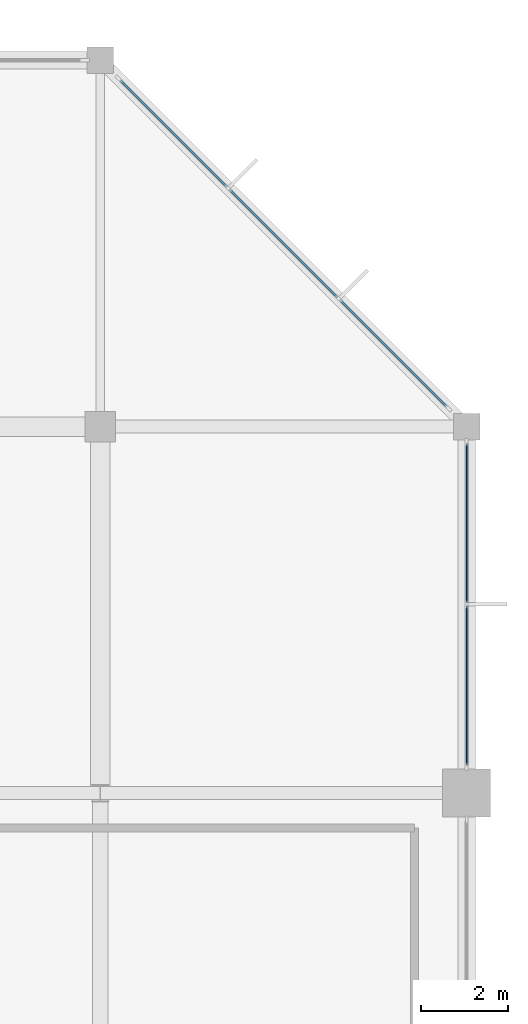
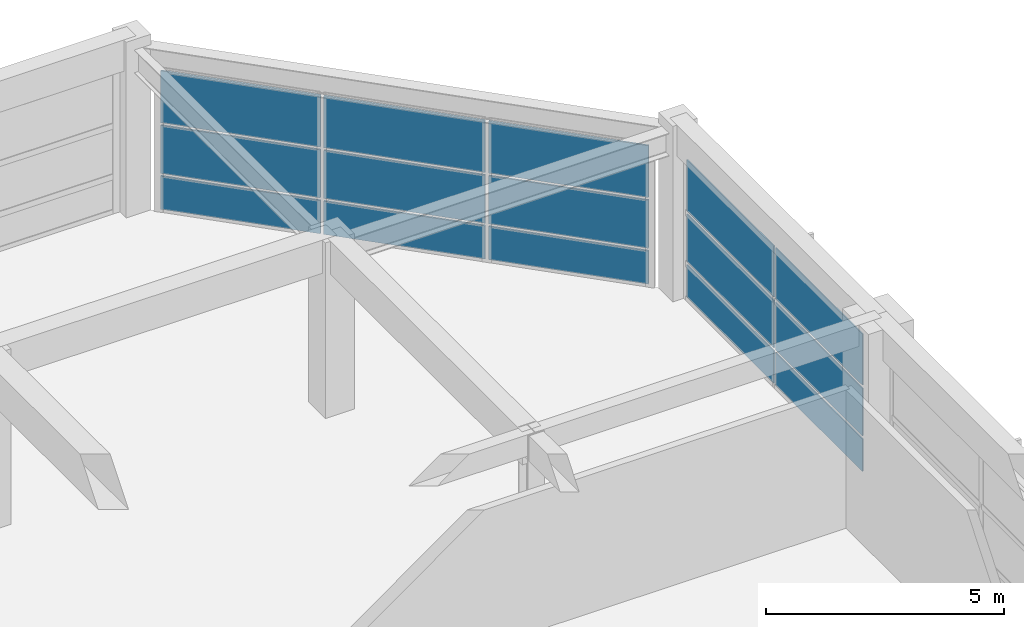
# One storey, part 48 of 62: 15 plates, 2 elements without a shape of their own.
"""IFC4 building model written with IfcOpenShell, lengths in metres."""

from ifc_helpers import new_model, si_unit, direction, frame, origin, origin_2d, place, context, subcontext, project, spatial, rectangle, extrude, material, layer, layer_set, type_object, element, aggregate, save


model = new_model("IFC4")

# Units and contexts
model_context = context("Model", 3, precision=1e-05, world=origin(), true_north=direction((0.0, 1.0)))
body_context = subcontext(model_context, "Body", "Model", "MODEL_VIEW")
ifc_project = project(units=[si_unit("LENGTHUNIT", "METRE"), si_unit("AREAUNIT", "SQUARE_METRE"), si_unit("VOLUMEUNIT", "CUBIC_METRE"), si_unit("PLANEANGLEUNIT", "RADIAN"), si_unit("MASSUNIT", "GRAM", prefix="KILO")], contexts=[model_context])

# Site, building, storey
site_placement = place(None, origin())
site = spatial("IfcSite", under=ifc_project, at=site_placement, CompositionType="ELEMENT")
building_placement = place(site_placement, origin())
building = spatial("IfcBuilding", under=site, at=building_placement, Name="Xuanlan Plaza Opera House", CompositionType="ELEMENT")
storey_placement = place(building_placement, frame((0.0, 0.0, 14.39990234375)))
storey = spatial("IfcBuildingStorey", under=building, at=storey_placement, Name="L03", CompositionType="ELEMENT", Elevation=14.39990234375)

# Curtain wall, plates
ifc_material_1 = material(Name="Anodised Aluminium 6063-T6 and Low-E Glass", Category="aluminium")
curtain_wall_type_1 = type_object("IfcCurtainWallType", Name="ENV-CW-CW-04", PredefinedType="USERDEFINED", material=ifc_material_1)
curtain_wall_1_placement = place(storey_placement, origin())
curtain_wall_1 = element("IfcCurtainWall", 1, at=curtain_wall_1_placement, inside=storey, type_object=curtain_wall_type_1, Name="Unitised Curtain Wall L03-027", ObjectType="UNITISED CURTAIN WALL", PredefinedType="USERDEFINED")
ifc_material_2 = material(Name="Laminated Acoustic Double Glazing", Category="glass")
ifc_layer_1 = layer(ifc_material_2, 0.028076171875)
ifc_layer_set_1 = layer_set([ifc_layer_1], Name="Laminated Acoustic Double Glazing")
plate_type_1 = type_object("IfcPlateType", Name="ENV-CWP-01", PredefinedType="CURTAIN_PANEL", material=ifc_layer_set_1)
plate_1_placement = place(storey_placement, frame((168.0, 86.465087890625, 0.080078125), z_axis=(0.0, 0.0, 1.0), x_axis=(0.0, 1.0, 0.0)))
plate_1 = element("IfcPlate", 2, at=plate_1_placement, type_object=plate_type_1, Name="CW-04 panel 1.1", PredefinedType="CURTAIN_PANEL", context=body_context, shape_type="SweptSolid", body=[
    extrude(rectangle(XDim=3.64990234375, YDim=0.028076171875, at=origin_2d()), origin(), (0.0, 0.0, 1.0), 0.830078125),
])
plate_2_placement = place(storey_placement, frame((168.0, 86.465087890625, 0.990234375), z_axis=(0.0, 0.0, 1.0), x_axis=(0.0, 1.0, 0.0)))
plate_2 = element("IfcPlate", 3, at=plate_2_placement, type_object=plate_type_1, Name="CW-04 panel 1.2", PredefinedType="CURTAIN_PANEL", context=body_context, shape_type="SweptSolid", body=[
    extrude(rectangle(XDim=3.64990234375, YDim=0.028076171875, at=origin_2d()), origin(), (0.0, 0.0, 1.0), 1.219970703125),
])
plate_3_placement = place(storey_placement, frame((168.0, 86.465087890625, 2.2900390625), z_axis=(0.0, 0.0, 1.0), x_axis=(0.0, 1.0, 0.0)))
plate_3 = element("IfcPlate", 4, at=plate_3_placement, type_object=plate_type_1, Name="CW-04 panel 1.3", PredefinedType="CURTAIN_PANEL", context=body_context, shape_type="SweptSolid", body=[
    extrude(rectangle(XDim=3.64990234375, YDim=0.028076171875, at=origin_2d()), origin(), (0.0, 0.0, 1.0), 1.31005859375),
])
plate_4_placement = place(storey_placement, frame((168.0, 90.18505859375, 0.080078125), z_axis=(0.0, 0.0, 1.0), x_axis=(0.0, 1.0, 0.0)))
plate_4 = element("IfcPlate", 5, at=plate_4_placement, type_object=plate_type_1, Name="CW-04 panel 2.1", PredefinedType="CURTAIN_PANEL", context=body_context, shape_type="SweptSolid", body=[
    extrude(rectangle(XDim=3.64990234375, YDim=0.028076171875, at=origin_2d()), origin(), (0.0, 0.0, 1.0), 0.830078125),
])
plate_5_placement = place(storey_placement, frame((168.0, 90.18505859375, 0.990234375), z_axis=(0.0, 0.0, 1.0), x_axis=(0.0, 1.0, 0.0)))
plate_5 = element("IfcPlate", 6, at=plate_5_placement, type_object=plate_type_1, Name="CW-04 panel 2.2", PredefinedType="CURTAIN_PANEL", context=body_context, shape_type="SweptSolid", body=[
    extrude(rectangle(XDim=3.64990234375, YDim=0.028076171875, at=origin_2d()), origin(), (0.0, 0.0, 1.0), 1.219970703125),
])
plate_6_placement = place(storey_placement, frame((168.0, 90.18505859375, 2.2900390625), z_axis=(0.0, 0.0, 1.0), x_axis=(0.0, 1.0, 0.0)))
plate_6 = element("IfcPlate", 7, at=plate_6_placement, type_object=plate_type_1, Name="CW-04 panel 2.3", PredefinedType="CURTAIN_PANEL", context=body_context, shape_type="SweptSolid", body=[
    extrude(rectangle(XDim=3.64990234375, YDim=0.028076171875, at=origin_2d()), origin(), (0.0, 0.0, 1.0), 1.31005859375),
])
aggregate(curtain_wall_1, [plate_1, plate_2, plate_3, plate_4, plate_5, plate_6])

curtain_wall_type_2 = type_object("IfcCurtainWallType", Name="ENV-CW-CW-01", PredefinedType="USERDEFINED", material=ifc_material_1)
curtain_wall_2_placement = place(storey_placement, origin())
curtain_wall_2 = element("IfcCurtainWall", 8, at=curtain_wall_2_placement, inside=storey, type_object=curtain_wall_type_2, Name="Unitised Curtain Wall L03-028", ObjectType="UNITISED CURTAIN WALL", PredefinedType="USERDEFINED")
ifc_layer_2 = layer(ifc_material_2, 0.0400390625)
ifc_layer_set_2 = layer_set([ifc_layer_2], Name="Laminated Acoustic Double Glazing")
plate_type_2 = type_object("IfcPlateType", Name="ENV-CWP-04", PredefinedType="CURTAIN_PANEL", material=ifc_layer_set_2)
plate_7_placement = place(storey_placement, frame((166.32080078125, 94.079345703125, 0.065185546875), z_axis=(0.0, 0.0, 1.0), x_axis=(-0.707106781187, 0.707106781187, 0.0)))
plate_7 = element("IfcPlate", 9, at=plate_7_placement, type_object=plate_type_2, Name="CW-01 panel 1.1", PredefinedType="CURTAIN_PANEL", context=body_context, shape_type="SweptSolid", body=[
    extrude(rectangle(XDim=3.47119140625, YDim=0.0400390625, at=origin_2d()), origin(), (0.0, 0.0, 1.0), 0.8525390625),
])
plate_8_placement = place(storey_placement, frame((166.32080078125, 94.079345703125, 0.982421875), z_axis=(0.0, 0.0, 1.0), x_axis=(-0.707106781187, 0.707106781187, 0.0)))
plate_8 = element("IfcPlate", 10, at=plate_8_placement, type_object=plate_type_2, Name="CW-01 panel 1.2", PredefinedType="CURTAIN_PANEL", context=body_context, shape_type="SweptSolid", body=[
    extrude(rectangle(XDim=3.47119140625, YDim=0.0400390625, at=origin_2d()), origin(), (0.0, 0.0, 1.0), 1.235107421875),
])
plate_9_placement = place(storey_placement, frame((166.32080078125, 94.079345703125, 2.282470703125), z_axis=(0.0, 0.0, 1.0), x_axis=(-0.707106781187, 0.707106781187, 0.0)))
plate_9 = element("IfcPlate", 11, at=plate_9_placement, type_object=plate_type_2, Name="CW-01 panel 1.3", PredefinedType="CURTAIN_PANEL", context=body_context, shape_type="SweptSolid", body=[
    extrude(rectangle(XDim=3.47119140625, YDim=0.0400390625, at=origin_2d()), origin(), (0.0, 0.0, 1.0), 1.33251953125),
])
plate_10_placement = place(storey_placement, frame((163.800048828125, 96.60009765625, 0.065185546875), z_axis=(0.0, 0.0, 1.0), x_axis=(-0.707106781187, 0.707106781187, 0.0)))
plate_10 = element("IfcPlate", 12, at=plate_10_placement, type_object=plate_type_2, Name="CW-01 panel 2.1", PredefinedType="CURTAIN_PANEL", context=body_context, shape_type="SweptSolid", body=[
    extrude(rectangle(XDim=3.508544921875, YDim=0.0400390625, at=origin_2d()), origin(), (0.0, 0.0, 1.0), 0.8525390625),
])
plate_11_placement = place(storey_placement, frame((163.800048828125, 96.60009765625, 0.982421875), z_axis=(0.0, 0.0, 1.0), x_axis=(-0.707106781187, 0.707106781187, 0.0)))
plate_11 = element("IfcPlate", 13, at=plate_11_placement, type_object=plate_type_2, Name="CW-01 panel 2.2", PredefinedType="CURTAIN_PANEL", context=body_context, shape_type="SweptSolid", body=[
    extrude(rectangle(XDim=3.508544921875, YDim=0.0400390625, at=origin_2d()), origin(), (0.0, 0.0, 1.0), 1.235107421875),
])
plate_12_placement = place(storey_placement, frame((163.800048828125, 96.60009765625, 2.282470703125), z_axis=(0.0, 0.0, 1.0), x_axis=(-0.707106781187, 0.707106781187, 0.0)))
plate_12 = element("IfcPlate", 14, at=plate_12_placement, type_object=plate_type_2, Name="CW-01 panel 2.3", PredefinedType="CURTAIN_PANEL", context=body_context, shape_type="SweptSolid", body=[
    extrude(rectangle(XDim=3.508544921875, YDim=0.0400390625, at=origin_2d()), origin(), (0.0, 0.0, 1.0), 1.33251953125),
])
plate_13_placement = place(storey_placement, frame((161.279296875, 99.120849609375, 0.065185546875), z_axis=(0.0, 0.0, 1.0), x_axis=(-0.707106781187, 0.707106781187, 0.0)))
plate_13 = element("IfcPlate", 15, at=plate_13_placement, type_object=plate_type_2, Name="CW-01 panel 3.1", PredefinedType="CURTAIN_PANEL", context=body_context, shape_type="SweptSolid", body=[
    extrude(rectangle(XDim=3.47119140625, YDim=0.0400390625, at=origin_2d()), origin(), (0.0, 0.0, 1.0), 0.8525390625),
])
plate_14_placement = place(storey_placement, frame((161.279296875, 99.120849609375, 0.982421875), z_axis=(0.0, 0.0, 1.0), x_axis=(-0.707106781187, 0.707106781187, 0.0)))
plate_14 = element("IfcPlate", 16, at=plate_14_placement, type_object=plate_type_2, Name="CW-01 panel 3.2", PredefinedType="CURTAIN_PANEL", context=body_context, shape_type="SweptSolid", body=[
    extrude(rectangle(XDim=3.47119140625, YDim=0.0400390625, at=origin_2d()), origin(), (0.0, 0.0, 1.0), 1.235107421875),
])
plate_15_placement = place(storey_placement, frame((161.279296875, 99.120849609375, 2.282470703125), z_axis=(0.0, 0.0, 1.0), x_axis=(-0.707106781187, 0.707106781187, 0.0)))
plate_15 = element("IfcPlate", 17, at=plate_15_placement, type_object=plate_type_2, Name="CW-01 panel 3.3", PredefinedType="CURTAIN_PANEL", context=body_context, shape_type="SweptSolid", body=[
    extrude(rectangle(XDim=3.47119140625, YDim=0.0400390625, at=origin_2d()), origin(), (0.0, 0.0, 1.0), 1.33251953125),
])
aggregate(curtain_wall_2, [plate_7, plate_8, plate_9, plate_10, plate_11, plate_12, plate_13, plate_14, plate_15])

save(model, "model.ifc")
